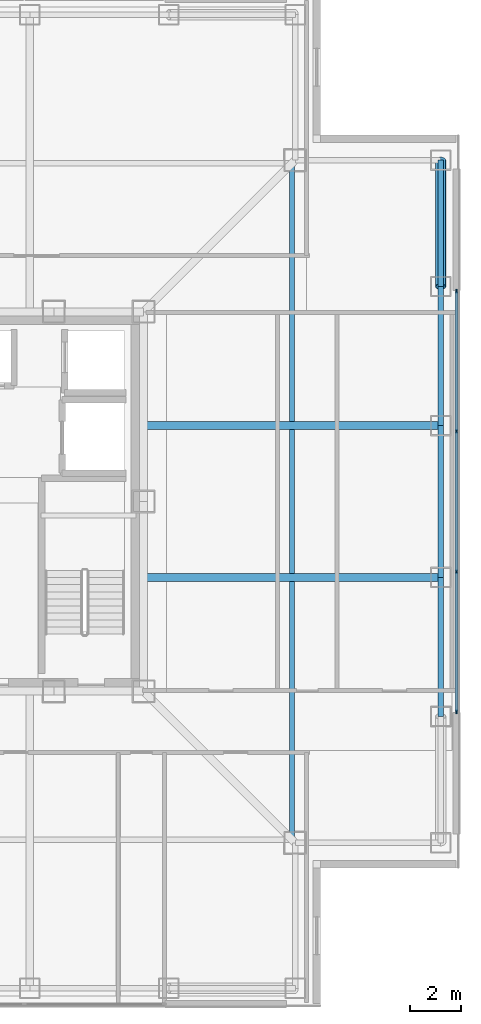
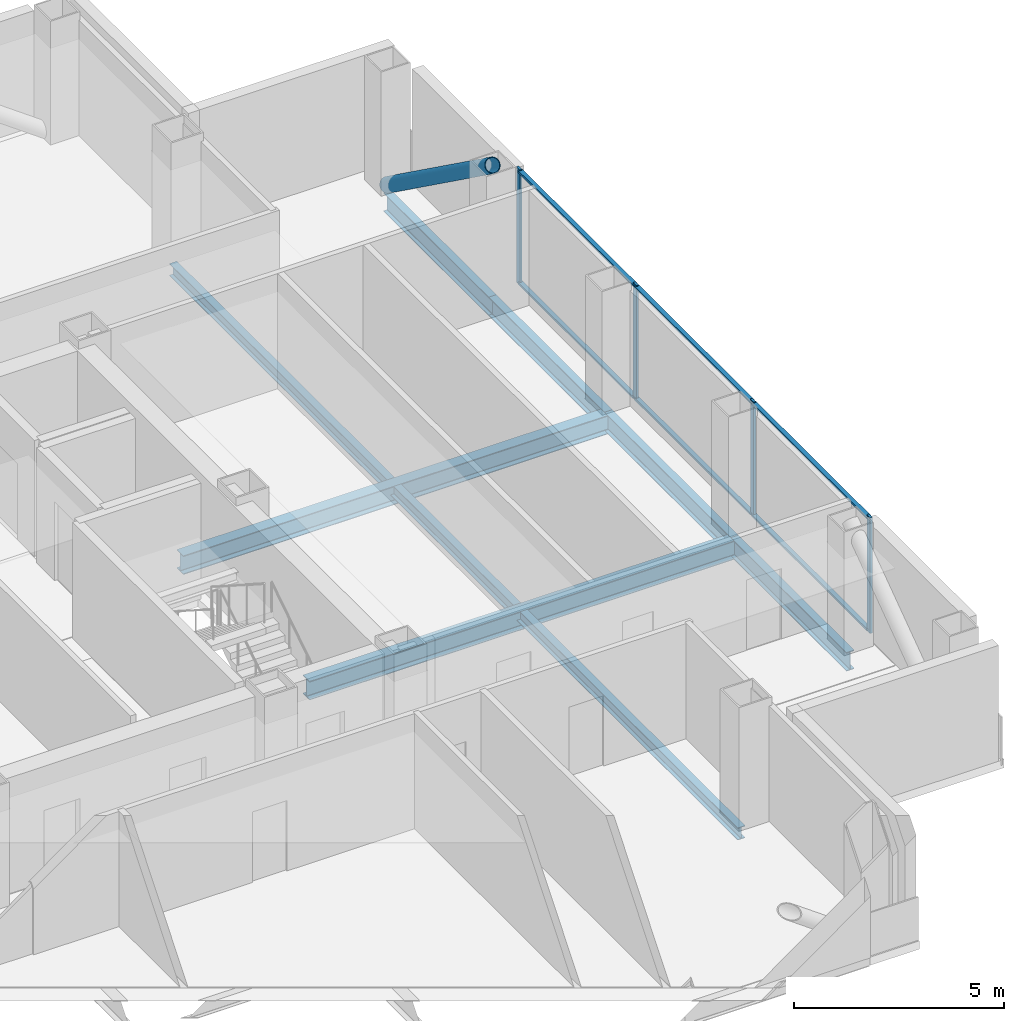
# One storey, part 6 of 17: 11 members, 7 beams, 1 element without a shape of its own.
"""IFC4 building model written with IfcOpenShell, lengths in metres."""

from ifc_helpers import new_model, si_unit, direction, frame, origin, origin_2d, place, context, subcontext, project, spatial, rectangle, hollow_circle, i_section, extrude, material, layer, layer_set, material_profile, profile_set, type_object, element, aggregate, save


model = new_model("IFC4")

# Units and contexts
model_context = context("Model", 3, precision=1e-05, world=origin(), true_north=direction((0.0, 1.0)))
body_context = subcontext(model_context, "Body", "Model", "MODEL_VIEW")
ifc_project = project(units=[si_unit("LENGTHUNIT", "METRE"), si_unit("AREAUNIT", "SQUARE_METRE"), si_unit("VOLUMEUNIT", "CUBIC_METRE"), si_unit("PLANEANGLEUNIT", "RADIAN"), si_unit("MASSUNIT", "GRAM", prefix="KILO")], contexts=[model_context])

# Site, building, storey
site_placement = place(None, origin())
site = spatial("IfcSite", under=ifc_project, at=site_placement, CompositionType="ELEMENT")
building_placement = place(site_placement, origin())
building = spatial("IfcBuilding", under=site, at=building_placement, Name="Trevonay Congress Spire", CompositionType="ELEMENT")
storey_placement = place(building_placement, frame((0.0, 0.0, 213.0)))
storey = spatial("IfcBuildingStorey", under=building, at=storey_placement, Name="L55", CompositionType="ELEMENT", Elevation=213.0)

# Beams
ifc_material_1 = material(Name="Steel ASTM A572 Grade 50", Category="steel")
ifc_material_profile_1 = material_profile(ifc_material_1, i_section(OverallWidth=0.31201171875, OverallDepth=0.54296875, WebThickness=0.0126953125, FlangeThickness=0.020263671875, FilletRadius=0.014892578125, at=origin_2d()), Name="W530x150")
ifc_profile_set_1 = profile_set([ifc_material_profile_1], Name="Steel ASTM A572 Grade 50")
beam_type_1 = type_object("IfcBeamType", Name="BM-GIRD-W530X150", PredefinedType="BEAM", material=ifc_profile_set_1)
for number, where, z_axis, x_axis, name in (
    (1, (7.5, -3.0, -0.511474609375), (1.0, 0.0, 0.0), (0.0, 1.0, 0.0), "L55 structural beam BM-L55-GE-M"),
    (2, (7.5, 3.0, -0.511474609375), (1.0, 0.0, 0.0), (0.0, 1.0, 0.0), "L55 structural beam BM-L55-GE-P"),
):
    element("IfcBeam", number, at=place(storey_placement, frame(where, z_axis=z_axis, x_axis=x_axis)), inside=storey, type_object=beam_type_1, Name=name, PredefinedType="BEAM", context=body_context, shape_type="SweptSolid", body=[
        extrude(i_section(OverallWidth=0.31201171875, OverallDepth=0.54296875, WebThickness=0.0126953125, FlangeThickness=0.020263671875, FilletRadius=0.014892578125, at=origin_2d()), origin(), (0.0, 0.0, 1.0), 11.75),
    ])
ifc_material_profile_2 = material_profile(ifc_material_1, i_section(OverallWidth=0.2119140625, OverallDepth=0.5439453125, WebThickness=0.01318359375, FlangeThickness=0.021240234375, FilletRadius=0.014892578125, at=origin_2d()), Name="W530x123")
ifc_profile_set_2 = profile_set([ifc_material_profile_2], Name="Steel ASTM A572 Grade 50")
beam_type_2 = type_object("IfcBeamType", Name="BM-RING-W530X123", PredefinedType="BEAM", material=ifc_profile_set_2)
beam_1_placement = place(storey_placement, frame((19.25, -8.5, -0.511962890625), z_axis=(0.0, 1.0, 0.0), x_axis=(-1.0, 0.0, 0.0)))
element("IfcBeam", 3, at=beam_1_placement, inside=storey, type_object=beam_type_2, Name="L55 structural beam BM-L55-PE2", PredefinedType="BEAM", context=body_context, shape_type="SweptSolid", body=[
    extrude(i_section(OverallWidth=0.2119140625, OverallDepth=0.5439453125, WebThickness=0.01318359375, FlangeThickness=0.021240234375, FilletRadius=0.014892578125, at=origin_2d()), origin(), (0.0, 0.0, 1.0), 5.5),
])
beam_2_placement = place(storey_placement, frame((19.25, -3.0, -0.511962890625), z_axis=(0.0, 1.0, 0.0), x_axis=(-1.0, 0.0, 0.0)))
element("IfcBeam", 4, at=beam_2_placement, inside=storey, type_object=beam_type_2, Name="L55 structural beam BM-L55-PE3", PredefinedType="BEAM", context=body_context, shape_type="SweptSolid", body=[
    extrude(i_section(OverallWidth=0.2119140625, OverallDepth=0.5439453125, WebThickness=0.01318359375, FlangeThickness=0.021240234375, FilletRadius=0.014892578125, at=origin_2d()), origin(), (0.0, 0.0, 1.0), 6.0),
])
beam_3_placement = place(storey_placement, frame((19.25, 3.0, -0.511962890625), z_axis=(0.0, 1.0, 0.0), x_axis=(-1.0, 0.0, 0.0)))
element("IfcBeam", 5, at=beam_3_placement, inside=storey, type_object=beam_type_2, Name="L55 structural beam BM-L55-PE4", PredefinedType="BEAM", context=body_context, shape_type="SweptSolid", body=[
    extrude(i_section(OverallWidth=0.2119140625, OverallDepth=0.5439453125, WebThickness=0.01318359375, FlangeThickness=0.021240234375, FilletRadius=0.014892578125, at=origin_2d()), origin(), (0.0, 0.0, 1.0), 5.5),
])
beam_4_placement = place(storey_placement, frame((19.25, 8.5, -0.511962890625), z_axis=(0.0, 1.0, 0.0), x_axis=(-1.0, 0.0, 0.0)))
element("IfcBeam", 6, at=beam_4_placement, inside=storey, type_object=beam_type_2, Name="L55 structural beam BM-L55-PE5", PredefinedType="BEAM", context=body_context, shape_type="SweptSolid", body=[
    extrude(i_section(OverallWidth=0.2119140625, OverallDepth=0.5439453125, WebThickness=0.01318359375, FlangeThickness=0.021240234375, FilletRadius=0.014892578125, at=origin_2d()), origin(), (0.0, 0.0, 1.0), 5.0),
])

# Curtain wall, members
ifc_material_2 = material(Name="Pale Anodised Aluminium EN AW-6063-T6", Category="aluminium")
ifc_layer = layer(ifc_material_2, 0.169921875, Name="Pale Anodised Aluminium EN AW-6063-T6")
ifc_layer_set = layer_set([ifc_layer], Name="Pale Anodised Aluminium EN AW-6063-T6")
curtain_wall_type = type_object("IfcCurtainWallType", Name="CW-SYS04-CORP-PALE-METAL", PredefinedType="NOTDEFINED", material=ifc_layer_set)
curtain_wall_placement = place(storey_placement, origin())
curtain_wall = element("IfcCurtainWall", 7, at=curtain_wall_placement, inside=storey, type_object=curtain_wall_type, Name="L55 E unitised curtain wall", PredefinedType="NOTDEFINED")
ifc_material_profile_3 = material_profile(ifc_material_2, rectangle(XDim=0.06005859375, YDim=0.159912109375, at=origin_2d()), Name="CW-MULLION-160-ALUMINIUM")
ifc_profile_set_3 = profile_set([ifc_material_profile_3], Name="Pale Anodised Aluminium EN AW-6063-T6")
member_type_1 = type_object("IfcMemberType", Name="CW-MULLION-160-ALUMINIUM", PredefinedType="MULLION", material=ifc_profile_set_3)
member_1_placement = place(storey_placement, frame((19.8798828125, -8.320068359375, 0.0), z_axis=(0.0, 0.0, 1.0), x_axis=(-1.0, 0.0, 0.0)))
member_1 = element("IfcMember", 8, at=member_1_placement, type_object=member_type_1, Name="CW04 mullion 1", PredefinedType="MULLION", context=body_context, shape_type="SweptSolid", body=[
    extrude(rectangle(XDim=0.06005859375, YDim=0.159912109375, at=origin_2d()), origin(), (0.0, 0.0, 1.0), 3.360107421875),
])
member_2_placement = place(storey_placement, frame((19.8798828125, -2.783447265625, 0.0), z_axis=(0.0, 0.0, 1.0), x_axis=(-1.0, 0.0, 0.0)))
member_2 = element("IfcMember", 9, at=member_2_placement, type_object=member_type_1, Name="CW04 mullion 2", PredefinedType="MULLION", context=body_context, shape_type="SweptSolid", body=[
    extrude(rectangle(XDim=0.06005859375, YDim=0.159912109375, at=origin_2d()), origin(), (0.0, 0.0, 1.0), 3.360107421875),
])
member_3_placement = place(storey_placement, frame((19.8798828125, 2.783447265625, 0.0), z_axis=(0.0, 0.0, 1.0), x_axis=(-1.0, 0.0, 0.0)))
member_3 = element("IfcMember", 10, at=member_3_placement, type_object=member_type_1, Name="CW04 mullion 3", PredefinedType="MULLION", context=body_context, shape_type="SweptSolid", body=[
    extrude(rectangle(XDim=0.06005859375, YDim=0.159912109375, at=origin_2d()), origin(), (0.0, 0.0, 1.0), 3.360107421875),
])
member_4_placement = place(storey_placement, frame((19.8798828125, 8.320068359375, 0.0), z_axis=(0.0, 0.0, 1.0), x_axis=(-1.0, 0.0, 0.0)))
member_4 = element("IfcMember", 11, at=member_4_placement, type_object=member_type_1, Name="CW04 mullion 4", PredefinedType="MULLION", context=body_context, shape_type="SweptSolid", body=[
    extrude(rectangle(XDim=0.06005859375, YDim=0.159912109375, at=origin_2d()), origin(), (0.0, 0.0, 1.0), 3.360107421875),
])
ifc_material_profile_4 = material_profile(ifc_material_2, rectangle(XDim=0.1201171875, YDim=0.06005859375, at=origin_2d()), Name="CW-TRANSOM-120-ALUMINIUM")
ifc_profile_set_4 = profile_set([ifc_material_profile_4], Name="Pale Anodised Aluminium EN AW-6063-T6")
member_type_2 = type_object("IfcMemberType", Name="CW-TRANSOM-120-ALUMINIUM", PredefinedType="USERDEFINED", material=ifc_profile_set_4)
member_5_placement = place(storey_placement, frame((19.8798828125, -8.2900390625, 0.06005859375), z_axis=(0.0, 1.0, 0.0), x_axis=(-1.0, 0.0, 0.0)))
member_5 = element("IfcMember", 12, at=member_5_placement, type_object=member_type_2, Name="CW04 transom 1.1", ObjectType="TRANSOM", PredefinedType="USERDEFINED", context=body_context, shape_type="SweptSolid", body=[
    extrude(rectangle(XDim=0.1201171875, YDim=0.06005859375, at=origin_2d()), origin(), (0.0, 0.0, 1.0), 5.476806640625),
])
member_6_placement = place(storey_placement, frame((19.8798828125, -8.2900390625, 3.300048828125), z_axis=(0.0, 1.0, 0.0), x_axis=(-1.0, 0.0, 0.0)))
member_6 = element("IfcMember", 13, at=member_6_placement, type_object=member_type_2, Name="CW04 transom 1.2", ObjectType="TRANSOM", PredefinedType="USERDEFINED", context=body_context, shape_type="SweptSolid", body=[
    extrude(rectangle(XDim=0.1201171875, YDim=0.06005859375, at=origin_2d()), origin(), (0.0, 0.0, 1.0), 5.476806640625),
])
member_7_placement = place(storey_placement, frame((19.8798828125, -2.75341796875, 0.06005859375), z_axis=(0.0, 1.0, 0.0), x_axis=(-1.0, 0.0, 0.0)))
member_7 = element("IfcMember", 14, at=member_7_placement, type_object=member_type_2, Name="CW04 transom 2.1", ObjectType="TRANSOM", PredefinedType="USERDEFINED", context=body_context, shape_type="SweptSolid", body=[
    extrude(rectangle(XDim=0.1201171875, YDim=0.06005859375, at=origin_2d()), origin(), (0.0, 0.0, 1.0), 5.5068359375),
])
member_8_placement = place(storey_placement, frame((19.8798828125, -2.75341796875, 3.300048828125), z_axis=(0.0, 1.0, 0.0), x_axis=(-1.0, 0.0, 0.0)))
member_8 = element("IfcMember", 15, at=member_8_placement, type_object=member_type_2, Name="CW04 transom 2.2", ObjectType="TRANSOM", PredefinedType="USERDEFINED", context=body_context, shape_type="SweptSolid", body=[
    extrude(rectangle(XDim=0.1201171875, YDim=0.06005859375, at=origin_2d()), origin(), (0.0, 0.0, 1.0), 5.5068359375),
])
member_9_placement = place(storey_placement, frame((19.8798828125, 2.813232421875, 0.06005859375), z_axis=(0.0, 1.0, 0.0), x_axis=(-1.0, 0.0, 0.0)))
member_9 = element("IfcMember", 16, at=member_9_placement, type_object=member_type_2, Name="CW04 transom 3.1", ObjectType="TRANSOM", PredefinedType="USERDEFINED", context=body_context, shape_type="SweptSolid", body=[
    extrude(rectangle(XDim=0.1201171875, YDim=0.06005859375, at=origin_2d()), origin(), (0.0, 0.0, 1.0), 5.476806640625),
])
member_10_placement = place(storey_placement, frame((19.8798828125, 2.813232421875, 3.300048828125), z_axis=(0.0, 1.0, 0.0), x_axis=(-1.0, 0.0, 0.0)))
member_10 = element("IfcMember", 17, at=member_10_placement, type_object=member_type_2, Name="CW04 transom 3.2", ObjectType="TRANSOM", PredefinedType="USERDEFINED", context=body_context, shape_type="SweptSolid", body=[
    extrude(rectangle(XDim=0.1201171875, YDim=0.06005859375, at=origin_2d()), origin(), (0.0, 0.0, 1.0), 5.476806640625),
])
aggregate(curtain_wall, [member_1, member_2, member_3, member_4, member_5, member_6, member_7, member_8, member_9, member_10])

# Beam
ifc_material_profile_5 = material_profile(ifc_material_1, i_section(OverallWidth=0.205078125, OverallDepth=0.35400390625, WebThickness=0.009521484375, FlangeThickness=0.016845703125, FilletRadius=0.011962890625, at=origin_2d()), Name="W360x79")
ifc_profile_set_5 = profile_set([ifc_material_profile_5], Name="Steel ASTM A572 Grade 50")
beam_type_3 = type_object("IfcBeamType", Name="JS-COMP-W360X79", PredefinedType="JOIST", material=ifc_profile_set_5)
beam_5_placement = place(storey_placement, frame((13.375, -13.5, -0.4169921875), z_axis=(0.0, 1.0, 0.0), x_axis=(-1.0, 0.0, 0.0)))
element("IfcBeam", 18, at=beam_5_placement, inside=storey, type_object=beam_type_3, Name="L55 structural beam JS-L55-RING-E", PredefinedType="JOIST", context=body_context, shape_type="SweptSolid", body=[
    extrude(i_section(OverallWidth=0.205078125, OverallDepth=0.35400390625, WebThickness=0.009521484375, FlangeThickness=0.016845703125, FilletRadius=0.011962890625, at=origin_2d()), origin(), (0.0, 0.0, 1.0), 27.0),
])

# Member
ifc_material_3 = material(Name="Steel ASTM A500 Grade C", Category="steel")
ifc_material_profile_6 = material_profile(ifc_material_3, hollow_circle(Radius=0.203125, WallThickness=0.02001953125, at=origin_2d()), Name="CHS 406.4x20")
ifc_profile_set_6 = profile_set([ifc_material_profile_6], Name="Steel ASTM A500 Grade C")
member_type_3 = type_object("IfcMemberType", Name="MBR-TUBE-CHS406", PredefinedType="BRACE", material=ifc_profile_set_6)
member_11_placement = place(storey_placement, frame((19.25, 13.5, -0.050048828125), z_axis=(0.0, -0.811526825515, 0.584315164504), x_axis=(1.0, 0.0, 0.0)))
element("IfcMember", 19, at=member_11_placement, inside=storey, type_object=member_type_3, Name="L55 perimeter braced-tube diagonal E4", PredefinedType="BRACE", context=body_context, shape_type="SweptSolid", body=[
    extrude(hollow_circle(Radius=0.203125, WallThickness=0.02001953125, at=origin_2d()), origin(), (0.0, 0.0, 1.0), 6.1611328125),
])

save(model, "model.ifc")
